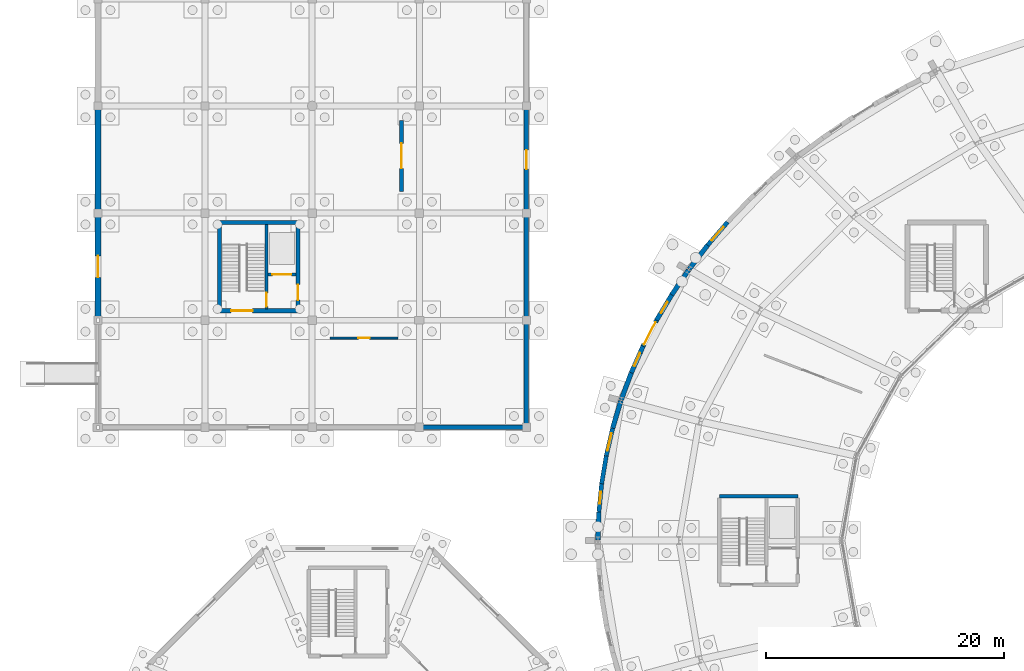
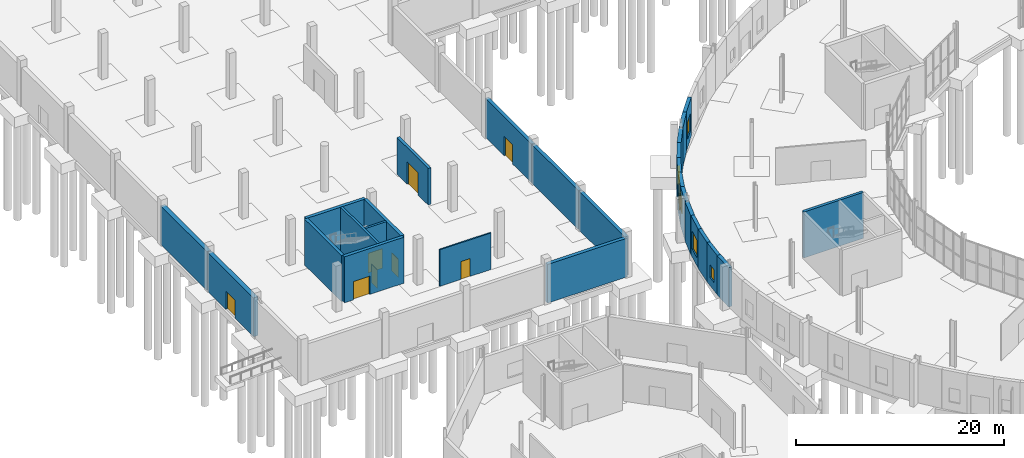
# One storey, part 88 of 118: 27 walls, 9 doors, 5 windows, 14 openings.
"""IFC4 building model written with IfcOpenShell, lengths in metres."""

from ifc_helpers import new_model, si_unit, direction, frame, frame_2d, origin, place, context, subcontext, project, spatial, rectangle, extrude, material, layer, layer_set, type_object, element, fill, save


model = new_model("IFC4")

# Units and contexts
model_context = context("Model", 3, precision=1e-05, world=origin(), true_north=direction((0.0, 1.0)))
body_context = subcontext(model_context, "Body", "Model", "MODEL_VIEW")
ifc_project = project(units=[si_unit("LENGTHUNIT", "METRE"), si_unit("AREAUNIT", "SQUARE_METRE"), si_unit("VOLUMEUNIT", "CUBIC_METRE"), si_unit("PLANEANGLEUNIT", "RADIAN"), si_unit("MASSUNIT", "GRAM", prefix="KILO")], contexts=[model_context])

# Site, building, storey
site_placement = place(None, origin())
site = spatial("IfcSite", under=ifc_project, at=site_placement, CompositionType="ELEMENT")
building_placement = place(site_placement, origin())
building = spatial("IfcBuilding", under=site, at=building_placement, Name="Kildeholm Park Wholesale Market", CompositionType="ELEMENT")
storey_placement = place(building_placement, origin())
storey = spatial("IfcBuildingStorey", under=building, at=storey_placement, Name="L00", CompositionType="ELEMENT", Elevation=0.0)

# Walls
ifc_material_1 = material(Name="Precast concrete C40/50 insulated cold-store envelope wall", Category="concrete")
ifc_layer_1 = layer(ifc_material_1, 0.3798828125)
ifc_layer_set_1 = layer_set([ifc_layer_1], Name="Precast concrete C40/50 insulated cold-store envelope wall")
wall_type_1 = type_object("IfcWallType", Name="Exterior wall W-CS1 380 mm", PredefinedType="SOLIDWALL", material=ifc_layer_set_1)
for number, where, z_axis, x_axis, name in (
    (1, (27.06005859375, 99.0, 0.0), (0.0, 0.0, 1.0), (1.0, 0.0, 0.0), "Exterior wall V4WS-L00.4 WL-0404"),
    (2, (36.0, 99.06005859375, 0.0), (0.0, 0.0, 1.0), (0.0, 1.0, 0.0), "Exterior wall V4WE-L00.1 WL-0413"),
    (3, (36.0, 108.06005859375, 0.0), (0.0, 0.0, 1.0), (0.0, 1.0, 0.0), "Exterior wall V4WE-L00.2 WL-0414"),
):
    element("IfcWall", number, at=place(storey_placement, frame(where, z_axis=z_axis, x_axis=x_axis)), inside=storey, type_object=wall_type_1, Name=name, PredefinedType="SOLIDWALL", context=body_context, shape_type="SweptSolid", body=[
        extrude(rectangle(XDim=8.8798828125, YDim=0.3798828125, at=frame_2d((4.43994140625, 0.0))), origin(), (0.0, 0.0, 1.0), 4.550048828125),
    ])

# Wall, opening, door
wall_1_placement = place(storey_placement, frame((36.0, 117.06005859375, 0.0), z_axis=(0.0, 0.0, 1.0), x_axis=(0.0, 1.0, 0.0)))
wall_1 = element("IfcWall", 4, at=wall_1_placement, inside=storey, type_object=wall_type_1, Name="Exterior wall V4WE-L00.3 WL-0415", PredefinedType="SOLIDWALL", context=body_context, shape_type="SweptSolid", body=[
    extrude(rectangle(XDim=8.8798828125, YDim=0.3798828125, at=frame_2d((4.43994140625, 0.0))), origin(), (0.0, 0.0, 1.0), 4.550048828125),
])
opening_1_placement = place(wall_1_placement, frame((3.639892578125, 0.0, 0.0)))
opening_1 = element("IfcOpeningElement", 5, at=opening_1_placement, cuts=wall_1, Name="Opening D-EX08", PredefinedType="OPENING", context=body_context, shape_type="SweptSolid", body=[
    extrude(rectangle(XDim=1.60009765625, YDim=2.25, at=frame_2d((0.800048828125, 1.125))), frame((0.0, 0.199951171875, 0.0), z_axis=(0.0, -1.0, 0.0), x_axis=(1.0, 0.0, 0.0)), (0.0, 0.0, 1.0), 0.39990234375),
])
ifc_material_2 = material(Name="Anodised aluminium courtyard portal door", Category="aluminium")
door_type_1 = type_object("IfcDoorType", Name="Exterior door D-EX08 1600x2250", OperationType="NOTDEFINED", PredefinedType="DOOR", material=ifc_material_2)
door_1_placement = place(opening_1_placement, frame((1.60009765625, 0.0, 0.0), z_axis=(0.0, 0.0, 1.0), x_axis=(-1.0, 0.0, 0.0)))
door_1 = element("IfcDoor", 6, at=door_1_placement, inside=storey, type_object=door_type_1, Name="Door V4WE-L00.3 DR-0038 WL-0415", OperationType="DOUBLE_DOOR_SINGLE_SWING", OverallHeight=2.25, OverallWidth=1.60009765625, PredefinedType="DOOR", context=body_context, shape_type="SweptSolid", body=[
    extrude(rectangle(XDim=1.60009765625, YDim=2.25, at=frame_2d((0.800048828125, 1.125))), frame((0.0, 0.02490234375, 0.0), z_axis=(0.0, -1.0, 0.0), x_axis=(1.0, 0.0, 0.0)), (0.0, 0.0, 1.0), 0.050048828125),
])
fill(opening_1, door_1)

ifc_material_3 = material(Name="Precast concrete C40/50 deep-freeze thermal envelope wall", Category="concrete")
ifc_layer_2 = layer(ifc_material_3, 0.47998046875)
ifc_layer_set_2 = layer_set([ifc_layer_2], Name="Precast concrete C40/50 deep-freeze thermal envelope wall")
wall_type_2 = type_object("IfcWallType", Name="Exterior wall W-CS2 480 mm", PredefinedType="SOLIDWALL", material=ifc_layer_set_2)
wall_2_placement = place(storey_placement, frame((0.0, 108.06005859375, 0.0), z_axis=(0.0, 0.0, 1.0), x_axis=(0.0, 1.0, 0.0)))
wall_2 = element("IfcWall", 7, at=wall_2_placement, inside=storey, type_object=wall_type_2, Name="Exterior wall V4W-L00.2 WL-0378", PredefinedType="SOLIDWALL", context=body_context, shape_type="SweptSolid", body=[
    extrude(rectangle(XDim=8.8798828125, YDim=0.47998046875, at=frame_2d((4.43994140625, 0.0))), origin(), (0.0, 0.0, 1.0), 4.550048828125),
])
opening_2_placement = place(wall_2_placement, frame((3.5400390625, 0.0, 0.0)))
opening_2 = element("IfcOpeningElement", 8, at=opening_2_placement, cuts=wall_2, Name="Opening D-EX05", PredefinedType="OPENING", context=body_context, shape_type="SweptSolid", body=[
    extrude(rectangle(XDim=1.800048828125, YDim=2.14990234375, at=frame_2d((0.89990234375, 1.074951171875))), frame((0.0, 0.25, 0.0), z_axis=(0.0, -1.0, 0.0), x_axis=(1.0, 0.0, 0.0)), (0.0, 0.0, 1.0), 0.5),
])
ifc_material_4 = material(Name="Painted galvanized steel escape doorset", Category="steel")
door_type_2 = type_object("IfcDoorType", Name="Exterior door D-EX05 1800x2150", OperationType="NOTDEFINED", PredefinedType="DOOR", material=ifc_material_4)
door_2_placement = place(opening_2_placement, origin())
door_2 = element("IfcDoor", 9, at=door_2_placement, inside=storey, type_object=door_type_2, Name="Door V4W-L00.2 DR-0035 WL-0378", OperationType="DOUBLE_DOOR_SINGLE_SWING", OverallHeight=2.14990234375, OverallWidth=1.800048828125, PredefinedType="DOOR", context=body_context, shape_type="SweptSolid", body=[
    extrude(rectangle(XDim=1.800048828125, YDim=2.14990234375, at=frame_2d((0.89990234375, 1.074951171875))), frame((0.0, 0.02490234375, 0.0), z_axis=(0.0, -1.0, 0.0), x_axis=(1.0, 0.0, 0.0)), (0.0, 0.0, 1.0), 0.050048828125),
])
fill(opening_2, door_2)

# Wall
wall_3_placement = place(storey_placement, frame((0.0, 117.06005859375, 0.0), z_axis=(0.0, 0.0, 1.0), x_axis=(0.0, 1.0, 0.0)))
element("IfcWall", 10, at=wall_3_placement, inside=storey, type_object=wall_type_2, Name="Exterior wall V4W-L00.3 WL-0379", PredefinedType="SOLIDWALL", context=body_context, shape_type="SweptSolid", body=[
    extrude(rectangle(XDim=8.8798828125, YDim=0.47998046875, at=frame_2d((4.43994140625, 0.0))), origin(), (0.0, 0.0, 1.0), 4.550048828125),
])

# Wall, opening, window
ifc_material_5 = material(Name="Red Danish clinker brick masonry with Concrete C35/45 backing", Category="masonry")
ifc_layer_3 = layer(ifc_material_5, 0.360107421875)
ifc_layer_set_3 = layer_set([ifc_layer_3], Name="Red Danish clinker brick masonry with Concrete C35/45 backing")
wall_type_3 = type_object("IfcWallType", Name="Exterior wall W-EX1 360 mm", PredefinedType="SOLIDWALL", material=ifc_layer_set_3)
wall_4_placement = place(storey_placement, frame((52.89111328125, 116.25, 0.0), z_axis=(0.0, 0.0, 1.0), x_axis=(-0.652570020316, -0.757728426671, 0.0)))
wall_4 = element("IfcWall", 11, at=wall_4_placement, inside=storey, type_object=wall_type_3, Name="Produce ring outer wall 10.4 WL-0075", PredefinedType="SOLIDWALL", context=body_context, shape_type="SweptSolid", body=[
    extrude(rectangle(XDim=2.57470703125, YDim=0.360107421875, at=frame_2d((1.287353515625, 0.0))), origin(), (0.0, 0.0, 1.0), 4.60009765625),
])
opening_3_placement = place(wall_4_placement, frame((0.537109375, 0.0, 0.949951171875)))
opening_3 = element("IfcOpeningElement", 12, at=opening_3_placement, cuts=wall_4, Name="Opening WN-01", PredefinedType="OPENING", context=body_context, shape_type="SweptSolid", body=[
    extrude(rectangle(XDim=1.5, YDim=2.10009765625, at=frame_2d((0.75, 1.050048828125))), frame((0.0, 0.18994140625, 0.0), z_axis=(0.0, -1.0, 0.0), x_axis=(1.0, 0.0, 0.0)), (0.0, 0.0, 1.0), 0.380126953125),
])
ifc_material_6 = material(Name="Thermally broken aluminium and triple-glazed low-E glass", Category="aluminium")
window_type_1 = type_object("IfcWindowType", Name="Window WN-01 1500x2100", PartitioningType="DOUBLE_PANEL_VERTICAL", PredefinedType="WINDOW", material=ifc_material_6)
window_1_placement = place(opening_3_placement, origin())
window_1 = element("IfcWindow", 13, at=window_1_placement, inside=storey, type_object=window_type_1, Name="Produce hall arcade window 10.3 WIN-0016", OverallHeight=2.10009765625, OverallWidth=1.5, PartitioningType="SINGLE_PANEL", PredefinedType="WINDOW", context=body_context, shape_type="SweptSolid", body=[
    extrude(rectangle(XDim=1.5, YDim=2.10009765625, at=frame_2d((0.75, 1.050048828125))), frame((0.0, 0.030029296875, 0.0), z_axis=(0.0, -1.0, 0.0), x_axis=(1.0, 0.0, 0.0)), (0.0, 0.0, 1.0), 0.06005859375),
])
fill(opening_3, window_1)

wall_5_placement = place(storey_placement, frame((43.239013671875, 98.93701171875, 0.0), z_axis=(0.0, 0.0, 1.0), x_axis=(-0.225688046165, -0.974199623187, 0.0)))
wall_5 = element("IfcWall", 14, at=wall_5_placement, inside=storey, type_object=wall_type_3, Name="Produce ring outer wall 12.2 WL-0091", PredefinedType="SOLIDWALL", context=body_context, shape_type="SweptSolid", body=[
    extrude(rectangle(XDim=2.388427734375, YDim=0.360107421875, at=frame_2d((1.1943359375, 0.0))), origin(), (0.0, 0.0, 1.0), 4.60009765625),
])
opening_4_placement = place(wall_5_placement, frame((0.444091796875, 0.0, 0.949951171875)))
opening_4 = element("IfcOpeningElement", 15, at=opening_4_placement, cuts=wall_5, Name="Opening WN-01", PredefinedType="OPENING", context=body_context, shape_type="SweptSolid", body=[
    extrude(rectangle(XDim=1.5, YDim=2.10009765625, at=frame_2d((0.75, 1.050048828125))), frame((0.0, 0.18994140625, 0.0), z_axis=(0.0, -1.0, 0.0), x_axis=(1.0, 0.0, 0.0)), (0.0, 0.0, 1.0), 0.380126953125),
])
window_2_placement = place(opening_4_placement, origin())
window_2 = element("IfcWindow", 16, at=window_2_placement, inside=storey, type_object=window_type_1, Name="Produce hall arcade window 12.1 WIN-0019", OverallHeight=2.10009765625, OverallWidth=1.5, PartitioningType="SINGLE_PANEL", PredefinedType="WINDOW", context=body_context, shape_type="SweptSolid", body=[
    extrude(rectangle(XDim=1.5, YDim=2.10009765625, at=frame_2d((0.75, 1.050048828125))), frame((0.0, 0.030029296875, 0.0), z_axis=(0.0, -1.0, 0.0), x_axis=(1.0, 0.0, 0.0)), (0.0, 0.0, 1.0), 0.06005859375),
])
fill(opening_4, window_2)

# Wall
wall_6_placement = place(storey_placement, frame((42.699951171875, 96.610107421875, 0.0), z_axis=(0.0, 0.0, 1.0), x_axis=(-0.162733815116, -0.98667000837, 0.0)))
element("IfcWall", 17, at=wall_6_placement, inside=storey, type_object=wall_type_3, Name="Produce ring outer wall 12.3 WL-0092", PredefinedType="SOLIDWALL", context=body_context, shape_type="SweptSolid", body=[
    extrude(rectangle(XDim=2.3779296875, YDim=0.360107421875, at=frame_2d((1.18896484375, 0.0))), origin(), (0.0, 0.0, 1.0), 4.60009765625),
])

# Wall, opening, window
wall_7_placement = place(storey_placement, frame((42.31298828125, 94.263916015625, 0.0), z_axis=(0.0, 0.0, 1.0), x_axis=(-0.0982595143, -0.995160825118, 0.0)))
wall_7 = element("IfcWall", 18, at=wall_7_placement, inside=storey, type_object=wall_type_3, Name="Produce ring outer wall 12.4 WL-0093", PredefinedType="SOLIDWALL", context=body_context, shape_type="SweptSolid", body=[
    extrude(rectangle(XDim=2.370361328125, YDim=0.360107421875, at=frame_2d((1.18505859375, 0.0))), origin(), (0.0, 0.0, 1.0), 4.60009765625),
])
opening_5_placement = place(wall_7_placement, frame((0.68505859375, 0.0, 0.949951171875)))
opening_5 = element("IfcOpeningElement", 19, at=opening_5_placement, cuts=wall_7, Name="Opening WN-09", PredefinedType="OPENING", context=body_context, shape_type="SweptSolid", body=[
    extrude(rectangle(XDim=1.0, YDim=1.5, at=frame_2d((0.5, 0.75))), frame((0.0, 0.18994140625, 0.0), z_axis=(0.0, -1.0, 0.0), x_axis=(1.0, 0.0, 0.0)), (0.0, 0.0, 1.0), 0.380126953125),
])
window_type_2 = type_object("IfcWindowType", Name="Window WN-09 1000x1500", PartitioningType="SINGLE_PANEL", PredefinedType="WINDOW", material=ifc_material_6)
window_3_placement = place(opening_5_placement, origin())
window_3 = element("IfcWindow", 20, at=window_3_placement, inside=storey, type_object=window_type_2, Name="Produce hall arcade window 12.3 WIN-0020", OverallHeight=1.5, OverallWidth=1.0, PartitioningType="SINGLE_PANEL", PredefinedType="WINDOW", context=body_context, shape_type="SweptSolid", body=[
    extrude(rectangle(XDim=1.0, YDim=1.5, at=frame_2d((0.5, 0.75))), frame((0.0, 0.030029296875, 0.0), z_axis=(0.0, -1.0, 0.0), x_axis=(1.0, 0.0, 0.0)), (0.0, 0.0, 1.0), 0.06005859375),
])
fill(opening_5, window_3)

# Walls
ifc_material_7 = material(Name="Bornholm granite stone plinth and Concrete C35/45 wall", Category="masonry")
ifc_layer_4 = layer(ifc_material_7, 0.39990234375)
ifc_layer_set_4 = layer_set([ifc_layer_4], Name="Bornholm granite stone plinth and Concrete C35/45 wall")
wall_type_4 = type_object("IfcWallType", Name="Exterior wall W-EX2 400 mm", PredefinedType="SOLIDWALL", material=ifc_layer_set_4)
wall_8_placement = place(storey_placement, frame((51.2109375, 114.299072265625, 0.0), z_axis=(0.0, 0.0, 1.0), x_axis=(-0.609808109702, -0.792549095856, 0.0)))
element("IfcWall", 21, at=wall_8_placement, inside=storey, type_object=wall_type_4, Name="Produce ring outer wall 10.5 WL-0076", PredefinedType="SOLIDWALL", context=body_context, shape_type="SweptSolid", body=[
    extrude(rectangle(XDim=2.545166015625, YDim=0.39990234375, at=frame_2d((1.2724609375, 0.0))), origin(), (0.0, 0.0, 1.0), 4.60009765625),
])
wall_9_placement = place(storey_placement, frame((49.612060546875, 112.217041015625, 0.0), z_axis=(0.0, 0.0, 1.0), x_axis=(-0.561757719856, -0.827301797521, 0.0)))
element("IfcWall", 22, at=wall_9_placement, inside=storey, type_object=wall_type_4, Name="Produce ring outer wall 11.1 WL-0081", PredefinedType="SOLIDWALL", context=body_context, shape_type="SweptSolid", body=[
    extrude(rectangle(XDim=2.515380859375, YDim=0.39990234375, at=frame_2d((1.2578125, 0.0))), origin(), (0.0, 0.0, 1.0), 4.60009765625),
])
wall_10_placement = place(storey_placement, frame((44.799072265625, 103.58203125, 0.0), z_axis=(0.0, 0.0, 1.0), x_axis=(-0.348624527721, -0.937262470534, 0.0)))
element("IfcWall", 23, at=wall_10_placement, inside=storey, type_object=wall_type_4, Name="Produce ring outer wall 11.5 WL-0085", PredefinedType="SOLIDWALL", context=body_context, shape_type="SweptSolid", body=[
    extrude(rectangle(XDim=2.4208984375, YDim=0.39990234375, at=frame_2d((1.21044921875, 0.0))), origin(), (0.0, 0.0, 1.0), 4.60009765625),
])
wall_11_placement = place(storey_placement, frame((43.928955078125, 101.238037109375, 0.0), z_axis=(0.0, 0.0, 1.0), x_axis=(-0.287208023904, -0.95786823259, 0.0)))
element("IfcWall", 24, at=wall_11_placement, inside=storey, type_object=wall_type_4, Name="Produce ring outer wall 12.1 WL-0090", PredefinedType="SOLIDWALL", context=body_context, shape_type="SweptSolid", body=[
    extrude(rectangle(XDim=2.40234375, YDim=0.39990234375, at=frame_2d((1.201171875, 0.0))), origin(), (0.0, 0.0, 1.0), 4.60009765625),
])
wall_12_placement = place(storey_placement, frame((42.080078125, 91.905029296875, 0.0), z_axis=(0.0, 0.0, 1.0), x_axis=(-0.033840418878, -0.999427249003, 0.0)))
element("IfcWall", 25, at=wall_12_placement, inside=storey, type_object=wall_type_4, Name="Produce ring outer wall 12.5 WL-0094", PredefinedType="SOLIDWALL", context=body_context, shape_type="SweptSolid", body=[
    extrude(rectangle(XDim=2.366455078125, YDim=0.39990234375, at=frame_2d((1.18310546875, 0.0))), origin(), (0.0, 0.0, 1.0), 4.60009765625),
])

# Wall, opening, window
ifc_material_8 = material(Name="Bornholm granite and ceramic-banded hall facade wall", Category="masonry")
ifc_layer_5 = layer(ifc_material_8, 0.389892578125)
ifc_layer_set_5 = layer_set([ifc_layer_5], Name="Bornholm granite and ceramic-banded hall facade wall")
wall_type_5 = type_object("IfcWallType", Name="Exterior wall W-EX5 390 mm", PredefinedType="SOLIDWALL", material=ifc_layer_set_5)
wall_13_placement = place(storey_placement, frame((48.198974609375, 110.135986328125, 0.0), z_axis=(0.0, 0.0, 1.0), x_axis=(-0.512344316931, -0.858780123727, 0.0)))
wall_13 = element("IfcWall", 26, at=wall_13_placement, inside=storey, type_object=wall_type_5, Name="Produce ring outer wall 11.2 WL-0082", PredefinedType="SOLIDWALL", context=body_context, shape_type="SweptSolid", body=[
    extrude(rectangle(XDim=2.48828125, YDim=0.389892578125, at=frame_2d((1.244140625, 0.0))), origin(), (0.0, 0.0, 1.0), 4.60009765625),
])
opening_6_placement = place(wall_13_placement, frame((0.718994140625, 0.0, 0.949951171875)))
opening_6 = element("IfcOpeningElement", 27, at=opening_6_placement, cuts=wall_13, Name="Opening WN-26", PredefinedType="OPENING", context=body_context, shape_type="SweptSolid", body=[
    extrude(rectangle(XDim=1.050048828125, YDim=1.35009765625, at=frame_2d((0.52490234375, 0.675048828125))), frame((0.0, 0.204833984375, 0.0), z_axis=(0.0, -1.0, 0.0), x_axis=(1.0, 0.0, 0.0)), (0.0, 0.0, 1.0), 0.409912109375),
])
window_type_3 = type_object("IfcWindowType", Name="Window WN-26 1050x1350", PartitioningType="SINGLE_PANEL", PredefinedType="WINDOW", material=ifc_material_6)
window_4_placement = place(opening_6_placement, origin())
window_4 = element("IfcWindow", 28, at=window_4_placement, inside=storey, type_object=window_type_3, Name="Produce hall arcade window 11.1 WIN-0017", OverallHeight=1.35009765625, OverallWidth=1.050048828125, PartitioningType="SINGLE_PANEL", PredefinedType="WINDOW", context=body_context, shape_type="SweptSolid", body=[
    extrude(rectangle(XDim=1.050048828125, YDim=1.35009765625, at=frame_2d((0.52490234375, 0.675048828125))), frame((0.0, 0.030029296875, 0.0), z_axis=(0.0, -1.0, 0.0), x_axis=(1.0, 0.0, 0.0)), (0.0, 0.0, 1.0), 0.06005859375),
])
fill(opening_6, window_4)

# Wall, opening, door
wall_14_placement = place(storey_placement, frame((46.924072265625, 107.9990234375, 0.0), z_axis=(0.0, 0.0, 1.0), x_axis=(-0.460800257055, -0.88750387216, 0.0)))
wall_14 = element("IfcWall", 29, at=wall_14_placement, inside=storey, type_object=wall_type_5, Name="Produce ring outer wall 11.3 WL-0083", PredefinedType="SOLIDWALL", context=body_context, shape_type="SweptSolid", body=[
    extrude(rectangle(XDim=2.463134765625, YDim=0.389892578125, at=frame_2d((1.2314453125, 0.0))), origin(), (0.0, 0.0, 1.0), 4.60009765625),
])
opening_7_placement = place(wall_14_placement, frame((0.181884765625, 0.0, 0.0)))
opening_7 = element("IfcOpeningElement", 30, at=opening_7_placement, cuts=wall_14, Name="Opening D-EX10", PredefinedType="OPENING", context=body_context, shape_type="SweptSolid", body=[
    extrude(rectangle(XDim=2.10009765625, YDim=2.35009765625, at=frame_2d((1.050048828125, 1.175048828125))), frame((0.0, 0.204833984375, 0.0), z_axis=(0.0, -1.0, 0.0), x_axis=(1.0, 0.0, 0.0)), (0.0, 0.0, 1.0), 0.409912109375),
])
ifc_material_9 = material(Name="Anodised aluminium park colonnade door", Category="aluminium")
door_type_3 = type_object("IfcDoorType", Name="Exterior door D-EX10 2100x2350", OperationType="NOTDEFINED", PredefinedType="DOOR", material=ifc_material_9)
door_3_placement = place(opening_7_placement, frame((2.10009765625, 0.0, 0.0), z_axis=(0.0, 0.0, 1.0), x_axis=(-1.0, 0.0, 0.0)))
door_3 = element("IfcDoor", 31, at=door_3_placement, inside=storey, type_object=door_type_3, Name="Produce hall public exit 11 DR-0005 WL-0083", OperationType="DOUBLE_DOOR_SINGLE_SWING", OverallHeight=2.35009765625, OverallWidth=2.10009765625, PredefinedType="DOOR", context=body_context, shape_type="SweptSolid", body=[
    extrude(rectangle(XDim=2.10009765625, YDim=2.35009765625, at=frame_2d((1.050048828125, 1.175048828125))), frame((0.0, 0.02490234375, 0.0), z_axis=(0.0, -1.0, 0.0), x_axis=(1.0, 0.0, 0.0)), (0.0, 0.0, 1.0), 0.050048828125),
])
fill(opening_7, door_3)

# Wall, opening, window
wall_15_placement = place(storey_placement, frame((45.7890625, 105.81298828125, 0.0), z_axis=(0.0, 0.0, 1.0), x_axis=(-0.405609389351, -0.914046510453, 0.0)))
wall_15 = element("IfcWall", 32, at=wall_15_placement, inside=storey, type_object=wall_type_5, Name="Produce ring outer wall 11.4 WL-0084", PredefinedType="SOLIDWALL", context=body_context, shape_type="SweptSolid", body=[
    extrude(rectangle(XDim=2.440673828125, YDim=0.389892578125, at=frame_2d((1.22021484375, 0.0))), origin(), (0.0, 0.0, 1.0), 4.60009765625),
])
opening_8_placement = place(wall_15_placement, frame((0.6201171875, 0.0, 0.949951171875)))
opening_8 = element("IfcOpeningElement", 33, at=opening_8_placement, cuts=wall_15, Name="Opening WN-05", PredefinedType="OPENING", context=body_context, shape_type="SweptSolid", body=[
    extrude(rectangle(XDim=1.199951171875, YDim=1.800048828125, at=frame_2d((0.60009765625, 0.89990234375))), frame((0.0, 0.204833984375, 0.0), z_axis=(0.0, -1.0, 0.0), x_axis=(1.0, 0.0, 0.0)), (0.0, 0.0, 1.0), 0.409912109375),
])
window_type_4 = type_object("IfcWindowType", Name="Window WN-05 1200x1800", PartitioningType="SINGLE_PANEL", PredefinedType="WINDOW", material=ifc_material_6)
window_5_placement = place(opening_8_placement, origin())
window_5 = element("IfcWindow", 34, at=window_5_placement, inside=storey, type_object=window_type_4, Name="Produce hall arcade window 11.3 WIN-0018", OverallHeight=1.800048828125, OverallWidth=1.199951171875, PartitioningType="SINGLE_PANEL", PredefinedType="WINDOW", context=body_context, shape_type="SweptSolid", body=[
    extrude(rectangle(XDim=1.199951171875, YDim=1.800048828125, at=frame_2d((0.60009765625, 0.89990234375))), frame((0.0, 0.030029296875, 0.0), z_axis=(0.0, -1.0, 0.0), x_axis=(1.0, 0.0, 0.0)), (0.0, 0.0, 1.0), 0.06005859375),
])
fill(opening_8, window_5)

# Wall, opening, door
ifc_material_10 = material(Name="Fire-rated corridor and lobby partition")
ifc_layer_6 = layer(ifc_material_10, 0.14990234375)
ifc_layer_set_6 = layer_set([ifc_layer_6], Name="Fire-rated corridor and lobby partition")
wall_type_6 = type_object("IfcWallType", Name="Partition W-PT04 150 mm", PredefinedType="PARTITIONING", material=ifc_layer_set_6)
wall_16_placement = place(storey_placement, frame((19.5, 106.5, 0.0), z_axis=(0.0, 0.0, 1.0), x_axis=(1.0, 0.0, 0.0)))
wall_16 = element("IfcWall", 35, at=wall_16_placement, inside=storey, type_object=wall_type_6, Name="Interior partition W-V4-L00-WC WL-0982", PredefinedType="PARTITIONING", context=body_context, shape_type="SweptSolid", body=[
    extrude(rectangle(XDim=5.699951171875, YDim=0.14990234375, at=frame_2d((2.85009765625, 0.0))), origin(), (0.0, 0.0, 1.0), 4.300048828125),
])
opening_9_placement = place(wall_16_placement, frame((2.35009765625, 0.0, 0.0)))
opening_9 = element("IfcOpeningElement", 36, at=opening_9_placement, cuts=wall_16, Name="Opening D-IN02", PredefinedType="OPENING", context=body_context, shape_type="SweptSolid", body=[
    extrude(rectangle(XDim=1.0, YDim=2.10009765625, at=frame_2d((0.5, 1.050048828125))), frame((0.0, 0.0849609375, 0.0), z_axis=(0.0, -1.0, 0.0), x_axis=(1.0, 0.0, 0.0)), (0.0, 0.0, 1.0), 0.169921875),
])
ifc_material_11 = material(Name="Hygienic laminate accessible WC doorset")
door_type_4 = type_object("IfcDoorType", Name="Interior door D-IN02 1000x2100", OperationType="NOTDEFINED", PredefinedType="DOOR", material=ifc_material_11)
door_4_placement = place(opening_9_placement, origin())
door_4 = element("IfcDoor", 37, at=door_4_placement, inside=storey, type_object=door_type_4, Name="Interior door V4-L00-WC DR-0257 WL-0982", OperationType="SINGLE_SWING_LEFT", OverallHeight=2.10009765625, OverallWidth=1.0, PredefinedType="DOOR", context=body_context, shape_type="SweptSolid", body=[
    extrude(rectangle(XDim=1.0, YDim=2.10009765625, at=frame_2d((0.5, 1.050048828125))), frame((0.0, 0.02490234375, 0.0), z_axis=(0.0, -1.0, 0.0), x_axis=(1.0, 0.0, 0.0)), (0.0, 0.0, 1.0), 0.050048828125),
])
fill(opening_9, door_4)

ifc_material_12 = material(Name="Deep-freeze internal thermal barrier wall")
ifc_layer_7 = layer(ifc_material_12, 0.320068359375)
ifc_layer_set_7 = layer_set([ifc_layer_7], Name="Deep-freeze internal thermal barrier wall")
wall_type_7 = type_object("IfcWallType", Name="Partition W-PT11 320 mm", PredefinedType="PARTITIONING", material=ifc_layer_set_7)
wall_17_placement = place(storey_placement, frame((25.5, 118.800048828125, 0.0), z_axis=(0.0, 0.0, 1.0), x_axis=(0.0, 1.0, 0.0)))
wall_17 = element("IfcWall", 38, at=wall_17_placement, inside=storey, type_object=wall_type_7, Name="Interior partition W-V4-L00-FZE2 WL-0981", PredefinedType="PARTITIONING", context=body_context, shape_type="SweptSolid", body=[
    extrude(rectangle(XDim=6.0, YDim=0.320068359375, at=frame_2d((3.0, 0.0))), origin(), (0.0, 0.0, 1.0), 4.300048828125),
])
opening_10_placement = place(wall_17_placement, frame((1.949951171875, 0.0, 0.0)))
opening_10 = element("IfcOpeningElement", 39, at=opening_10_placement, cuts=wall_17, Name="Opening D-CS02", PredefinedType="OPENING", context=body_context, shape_type="SweptSolid", body=[
    extrude(rectangle(XDim=2.10009765625, YDim=2.60009765625, at=frame_2d((1.050048828125, 1.300048828125))), frame((0.0, 0.169921875, 0.0), z_axis=(0.0, -1.0, 0.0), x_axis=(1.0, 0.0, 0.0)), (0.0, 0.0, 1.0), 0.340087890625),
])
ifc_material_13 = material(Name="Insulated stainless-steel pallet freezer sliding door", Category="steel")
door_type_5 = type_object("IfcDoorType", Name="Interior door D-CS02 2100x2600", OperationType="NOTDEFINED", PredefinedType="DOOR", material=ifc_material_13)
door_5_placement = place(opening_10_placement, origin())
door_5 = element("IfcDoor", 40, at=door_5_placement, inside=storey, type_object=door_type_5, Name="Interior door V4-L00-FZE2 DR-0256 WL-0981", OperationType="SLIDING_TO_RIGHT", OverallHeight=2.60009765625, OverallWidth=2.10009765625, PredefinedType="DOOR", context=body_context, shape_type="SweptSolid", body=[
    extrude(rectangle(XDim=2.10009765625, YDim=2.60009765625, at=frame_2d((1.050048828125, 1.300048828125))), frame((0.0, 0.02490234375, 0.0), z_axis=(0.0, -1.0, 0.0), x_axis=(1.0, 0.0, 0.0)), (0.0, 0.0, 1.0), 0.050048828125),
])
fill(opening_10, door_5)

# Wall
ifc_material_14 = material(Name="Concrete C40/50", Category="concrete")
ifc_layer_8 = layer(ifc_material_14, 0.300048828125)
ifc_layer_set_8 = layer_set([ifc_layer_8], Name="Concrete C40/50")
wall_type_8 = type_object("IfcWallType", Name="Shear wall W-SH1 300 mm", PredefinedType="SHEAR", material=ifc_layer_set_8)
wall_18_placement = place(storey_placement, frame((52.199951171875, 93.199951171875, 0.0), z_axis=(0.0, 0.0, 1.0), x_axis=(1.0, 0.0, 0.0)))
element("IfcWall", 41, at=wall_18_placement, inside=storey, type_object=wall_type_8, Name="Core C09 north shear wall L00 WL-0811", PredefinedType="SHEAR", context=body_context, shape_type="SweptSolid", body=[
    extrude(rectangle(XDim=6.60009765625, YDim=0.300048828125, at=frame_2d((3.300048828125, 0.0))), origin(), (0.0, 0.0, 1.0), 5.39990234375),
])

# Wall, opening, door
ifc_layer_9 = layer(ifc_material_14, 0.25)
ifc_layer_set_9 = layer_set([ifc_layer_9], Name="Concrete C40/50")
wall_type_9 = type_object("IfcWallType", Name="Shear wall W-SH2 250 mm", PredefinedType="SHEAR", material=ifc_layer_set_9)
wall_19_placement = place(storey_placement, frame((14.14990234375, 108.949951171875, 0.0), z_axis=(0.0, 0.0, 1.0), x_axis=(0.0, 1.0, 0.0)))
wall_19 = element("IfcWall", 42, at=wall_19_placement, inside=storey, type_object=wall_type_9, Name="Core C01 shaft wall L00 WL-0651", PredefinedType="SHEAR", context=body_context, shape_type="SweptSolid", body=[
    extrude(rectangle(XDim=7.10009765625, YDim=0.25, at=frame_2d((3.550048828125, 0.0))), origin(), (0.0, 0.0, 1.0), 5.39990234375),
])
opening_11_placement = place(wall_19_placement, frame((0.199951171875, 0.0, 0.0)))
opening_11 = element("IfcOpeningElement", 43, at=opening_11_placement, cuts=wall_19, Name="Opening D-CR01", PredefinedType="OPENING", context=body_context, shape_type="SweptSolid", body=[
    extrude(rectangle(XDim=1.14990234375, YDim=2.14990234375, at=frame_2d((0.574951171875, 1.074951171875))), frame((0.0, 0.135009765625, 0.0), z_axis=(0.0, -1.0, 0.0), x_axis=(1.0, 0.0, 0.0)), (0.0, 0.0, 1.0), 0.27001953125),
])
ifc_material_15 = material(Name="Painted steel fire escape doorset", Category="steel")
door_type_6 = type_object("IfcDoorType", Name="Interior door D-CR01 1150x2150", OperationType="NOTDEFINED", PredefinedType="DOOR", material=ifc_material_15)
door_6_placement = place(opening_11_placement, origin())
door_6 = element("IfcDoor", 44, at=door_6_placement, inside=storey, type_object=door_type_6, Name="Core C01 stair fire door L00 DR-0073 WL-0651", OperationType="SINGLE_SWING_LEFT", OverallHeight=2.14990234375, OverallWidth=1.14990234375, PredefinedType="DOOR", context=body_context, shape_type="SweptSolid", body=[
    extrude(rectangle(XDim=1.14990234375, YDim=2.14990234375, at=frame_2d((0.574951171875, 1.074951171875))), frame((0.0, 0.02490234375, 0.0), z_axis=(0.0, -1.0, 0.0), x_axis=(1.0, 0.0, 0.0)), (0.0, 0.0, 1.0), 0.050048828125),
])
fill(opening_11, door_6)

wall_20_placement = place(storey_placement, frame((14.27001953125, 111.85009765625, 0.0), z_axis=(0.0, 0.0, 1.0), x_axis=(1.0, 0.0, 0.0)))
wall_20 = element("IfcWall", 45, at=wall_20_placement, inside=storey, type_object=wall_type_9, Name="Lift LF-06 shaft front wall L00 WL-0652", PredefinedType="SHEAR", context=body_context, shape_type="SweptSolid", body=[
    extrude(rectangle(XDim=2.3798828125, YDim=0.25, at=frame_2d((1.18994140625, 0.0))), origin(), (0.0, 0.0, 1.0), 5.39990234375),
])
opening_12_placement = place(wall_20_placement, frame((0.389892578125, 0.0, 0.0)))
opening_12 = element("IfcOpeningElement", 46, at=opening_12_placement, cuts=wall_20, Name="Opening LD-06", PredefinedType="OPENING", context=body_context, shape_type="SweptSolid", body=[
    extrude(rectangle(XDim=1.60009765625, YDim=2.300048828125, at=frame_2d((0.800048828125, 1.14990234375))), frame((0.0, 0.135009765625, 0.0), z_axis=(0.0, -1.0, 0.0), x_axis=(1.0, 0.0, 0.0)), (0.0, 0.0, 1.0), 0.27001953125),
])
ifc_material_16 = material(Name="Stainless steel AISI 316 goods lift landing door", Category="steel")
door_type_7 = type_object("IfcDoorType", Name="Interior door D-LD02 1600x2300", OperationType="NOTDEFINED", PredefinedType="DOOR", material=ifc_material_16)
door_7_placement = place(opening_12_placement, origin())
door_7 = element("IfcDoor", 47, at=door_7_placement, inside=storey, type_object=door_type_7, Name="Lift LF-06 sliding landing door L00 DR-0075 WL-0652", OperationType="SLIDING_TO_LEFT", OverallHeight=2.300048828125, OverallWidth=1.60009765625, PredefinedType="DOOR", context=body_context, shape_type="SweptSolid", body=[
    extrude(rectangle(XDim=1.60009765625, YDim=2.300048828125, at=frame_2d((0.800048828125, 1.14990234375))), frame((0.0, 0.02490234375, 0.0), z_axis=(0.0, -1.0, 0.0), x_axis=(1.0, 0.0, 0.0)), (0.0, 0.0, 1.0), 0.050048828125),
])
fill(opening_12, door_7)

ifc_layer_10 = layer(ifc_material_14, 0.35009765625)
ifc_layer_set_10 = layer_set([ifc_layer_10], Name="Concrete C40/50")
wall_type_10 = type_object("IfcWallType", Name="Shear wall W-SH3 350 mm", PredefinedType="SHEAR", material=ifc_layer_set_10)
wall_21_placement = place(storey_placement, frame((10.199951171875, 108.800048828125, 0.0), z_axis=(0.0, 0.0, 1.0), x_axis=(1.0, 0.0, 0.0)))
wall_21 = element("IfcWall", 48, at=wall_21_placement, inside=storey, type_object=wall_type_10, Name="Core C01 south shear wall L00 WL-0647", PredefinedType="SHEAR", context=body_context, shape_type="SweptSolid", body=[
    extrude(rectangle(XDim=6.60009765625, YDim=0.35009765625, at=frame_2d((3.300048828125, 0.0))), origin(), (0.0, 0.0, 1.0), 5.39990234375),
])
opening_13_placement = place(wall_21_placement, frame((1.0, 0.0, 0.0)))
opening_13 = element("IfcOpeningElement", 49, at=opening_13_placement, cuts=wall_21, Name="Opening D-EX05", PredefinedType="OPENING", context=body_context, shape_type="SweptSolid", body=[
    extrude(rectangle(XDim=1.800048828125, YDim=2.14990234375, at=frame_2d((0.89990234375, 1.074951171875))), frame((0.0, 0.18505859375, 0.0), z_axis=(0.0, -1.0, 0.0), x_axis=(1.0, 0.0, 0.0)), (0.0, 0.0, 1.0), 0.3701171875),
])
door_8_placement = place(opening_13_placement, frame((1.800048828125, 0.0, 0.0), z_axis=(0.0, 0.0, 1.0), x_axis=(-1.0, 0.0, 0.0)))
door_8 = element("IfcDoor", 50, at=door_8_placement, inside=storey, type_object=door_type_2, Name="Core C01 grade stair discharge door DR-0074 WL-0647", OperationType="DOUBLE_DOOR_SINGLE_SWING", OverallHeight=2.14990234375, OverallWidth=1.800048828125, PredefinedType="DOOR", context=body_context, shape_type="SweptSolid", body=[
    extrude(rectangle(XDim=1.800048828125, YDim=2.14990234375, at=frame_2d((0.89990234375, 1.074951171875))), frame((0.0, 0.02490234375, 0.0), z_axis=(0.0, -1.0, 0.0), x_axis=(1.0, 0.0, 0.0)), (0.0, 0.0, 1.0), 0.050048828125),
])
fill(opening_13, door_8)

# Walls
wall_22_placement = place(storey_placement, frame((10.199951171875, 116.199951171875, 0.0), z_axis=(0.0, 0.0, 1.0), x_axis=(1.0, 0.0, 0.0)))
element("IfcWall", 51, at=wall_22_placement, inside=storey, type_object=wall_type_10, Name="Core C01 north shear wall L00 WL-0648", PredefinedType="SHEAR", context=body_context, shape_type="SweptSolid", body=[
    extrude(rectangle(XDim=6.60009765625, YDim=0.35009765625, at=frame_2d((3.300048828125, 0.0))), origin(), (0.0, 0.0, 1.0), 5.39990234375),
])
wall_23_placement = place(storey_placement, frame((10.199951171875, 108.949951171875, 0.0), z_axis=(0.0, 0.0, 1.0), x_axis=(0.0, 1.0, 0.0)))
element("IfcWall", 52, at=wall_23_placement, inside=storey, type_object=wall_type_10, Name="Core C01 west shear wall L00 WL-0649", PredefinedType="SHEAR", context=body_context, shape_type="SweptSolid", body=[
    extrude(rectangle(XDim=7.10009765625, YDim=0.35009765625, at=frame_2d((3.550048828125, 0.0))), origin(), (0.0, 0.0, 1.0), 5.39990234375),
])

# Wall, opening, door
wall_24_placement = place(storey_placement, frame((16.800048828125, 108.949951171875, 0.0), z_axis=(0.0, 0.0, 1.0), x_axis=(0.0, 1.0, 0.0)))
wall_24 = element("IfcWall", 53, at=wall_24_placement, inside=storey, type_object=wall_type_10, Name="Core C01 east shear wall L00 WL-0650", PredefinedType="SHEAR", context=body_context, shape_type="SweptSolid", body=[
    extrude(rectangle(XDim=7.10009765625, YDim=0.35009765625, at=frame_2d((3.550048828125, 0.0))), origin(), (0.0, 0.0, 1.0), 5.39990234375),
])
opening_14_placement = place(wall_24_placement, frame((0.75, 0.0, 0.0)))
opening_14 = element("IfcOpeningElement", 54, at=opening_14_placement, cuts=wall_24, Name="Opening D-CR02", PredefinedType="OPENING", context=body_context, shape_type="SweptSolid", body=[
    extrude(rectangle(XDim=1.300048828125, YDim=2.14990234375, at=frame_2d((0.64990234375, 1.074951171875))), frame((0.0, 0.18505859375, 0.0), z_axis=(0.0, -1.0, 0.0), x_axis=(1.0, 0.0, 0.0)), (0.0, 0.0, 1.0), 0.3701171875),
])
ifc_material_17 = material(Name="Painted steel core lobby double-leaf doorset", Category="steel")
door_type_8 = type_object("IfcDoorType", Name="Interior door D-CR02 1300x2150", OperationType="NOTDEFINED", PredefinedType="DOOR", material=ifc_material_17)
door_9_placement = place(opening_14_placement, frame((1.300048828125, 0.0, 0.0), z_axis=(0.0, 0.0, 1.0), x_axis=(-1.0, 0.0, 0.0)))
door_9 = element("IfcDoor", 55, at=door_9_placement, inside=storey, type_object=door_type_8, Name="Core C01 lobby entrance door L00 DR-0072 WL-0650", OperationType="DOUBLE_DOOR_SINGLE_SWING", OverallHeight=2.14990234375, OverallWidth=1.300048828125, PredefinedType="DOOR", context=body_context, shape_type="SweptSolid", body=[
    extrude(rectangle(XDim=1.300048828125, YDim=2.14990234375, at=frame_2d((0.64990234375, 1.074951171875))), frame((0.0, 0.02490234375, 0.0), z_axis=(0.0, -1.0, 0.0), x_axis=(1.0, 0.0, 0.0)), (0.0, 0.0, 1.0), 0.050048828125),
])
fill(opening_14, door_9)

save(model, "model.ifc")
